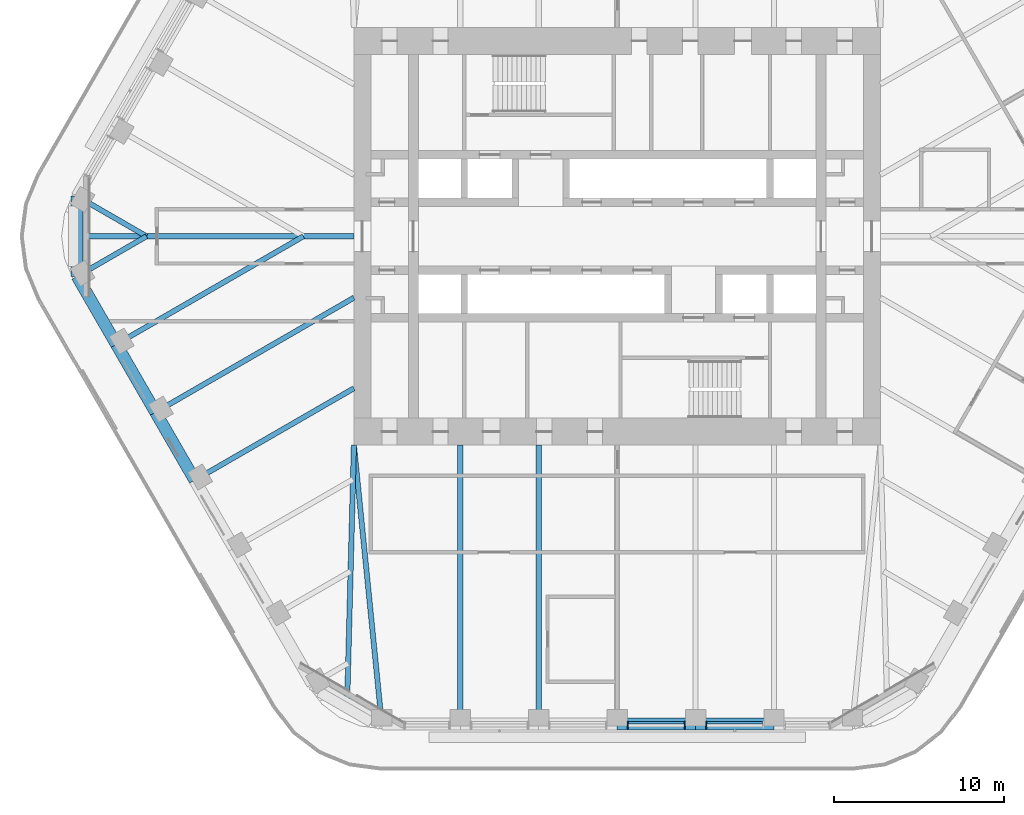
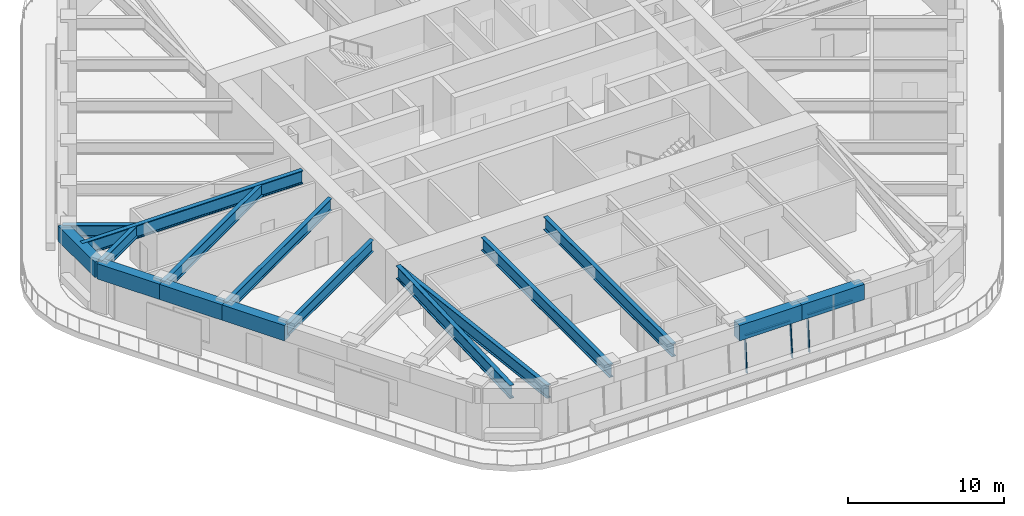
# One storey, part 3 of 20: 16 beams, 5 members, 2 elements without a shape of their own.
"""IFC4 building model written with IfcOpenShell, lengths in metres."""

from ifc_helpers import new_model, si_unit, direction, frame, origin, origin_2d, place, context, subcontext, project, spatial, rectangle, i_section, extrude, material, material_profile, profile_set, type_object, element, aggregate, save


model = new_model("IFC4")

# Units and contexts
model_context = context("Model", 3, precision=1e-05, world=origin(), true_north=direction((0.0, 1.0)))
body_context = subcontext(model_context, "Body", "Model", "MODEL_VIEW")
ifc_project = project(units=[si_unit("LENGTHUNIT", "METRE"), si_unit("AREAUNIT", "SQUARE_METRE"), si_unit("VOLUMEUNIT", "CUBIC_METRE"), si_unit("PLANEANGLEUNIT", "RADIAN"), si_unit("MASSUNIT", "GRAM", prefix="KILO")], contexts=[model_context])

# Site, building, storey
site_placement = place(None, origin())
site = spatial("IfcSite", under=ifc_project, at=site_placement, CompositionType="ELEMENT")
building_placement = place(site_placement, origin())
building = spatial("IfcBuilding", under=site, at=building_placement, Name="Tarfa Lantern Tower", CompositionType="ELEMENT")
storey_placement = place(building_placement, frame((0.0, 0.0, 257.5)))
storey = spatial("IfcBuildingStorey", under=building, at=storey_placement, Name="L58", CompositionType="ELEMENT", Elevation=257.5)

# Curtain wall, members
ifc_material_1 = material(Name="Aluminium framed curtain wall", Category="aluminium")
curtain_wall_type = type_object("IfcCurtainWallType", Name="CW3 CANTED GLAZING HIGH ZONE 2800", PredefinedType="USERDEFINED", material=ifc_material_1)
curtain_wall_1_placement = place(storey_placement, origin())
curtain_wall_1 = element("IfcCurtainWall", 1, at=curtain_wall_1_placement, inside=storey, type_object=curtain_wall_type, Name="CW3 S L58", ObjectType="CURTAIN WALL", PredefinedType="USERDEFINED")
ifc_material_2 = material(Name="Aluminium mullion", Category="aluminium")
ifc_material_profile_1 = material_profile(ifc_material_2, rectangle(XDim=0.06494140625, YDim=0.199951171875, at=origin_2d()), Name="AL MULLION 65x200")
ifc_profile_set_1 = profile_set([ifc_material_profile_1], Name="Aluminium mullion")
member_type_1 = type_object("IfcMemberType", Name="CWM1 MULLION 65x200", PredefinedType="MULLION", material=ifc_profile_set_1)
member_1_placement = place(storey_placement, frame((0.632568359375, -28.89990234375, 0.0), z_axis=(0.0, 0.088930399417, 0.996037842685), x_axis=(-1.0, 0.0, 0.0)))
member_1 = element("IfcMember", 2, at=member_1_placement, type_object=member_type_1, Name="CW3 mullion 1", PredefinedType="MULLION", context=body_context, shape_type="SweptSolid", body=[
    extrude(rectangle(XDim=0.06494140625, YDim=0.199951171875, at=origin_2d()), origin(), (0.0, 0.0, 1.0), 2.811279296875),
])
member_2_placement = place(storey_placement, frame((3.986328125, -28.89990234375, 0.0), z_axis=(0.0, 0.088930399417, 0.996037842685), x_axis=(-1.0, 0.0, 0.0)))
member_2 = element("IfcMember", 3, at=member_2_placement, type_object=member_type_1, Name="CW3 mullion 2", PredefinedType="MULLION", context=body_context, shape_type="SweptSolid", body=[
    extrude(rectangle(XDim=0.06494140625, YDim=0.199951171875, at=origin_2d()), origin(), (0.0, 0.0, 1.0), 2.811279296875),
])

# Curtain wall, member
curtain_wall_2_placement = place(storey_placement, origin())
curtain_wall_2 = element("IfcCurtainWall", 4, at=curtain_wall_2_placement, inside=storey, type_object=curtain_wall_type, Name="CW3 S L58", ObjectType="CURTAIN WALL", PredefinedType="USERDEFINED")
member_3_placement = place(storey_placement, frame((5.251220703125, -28.89990234375, 0.0), z_axis=(0.0, 0.088930399417, 0.996037842685), x_axis=(-1.0, 0.0, 0.0)))
member_3 = element("IfcMember", 5, at=member_3_placement, type_object=member_type_1, Name="CW3 mullion 1", PredefinedType="MULLION", context=body_context, shape_type="SweptSolid", body=[
    extrude(rectangle(XDim=0.06494140625, YDim=0.199951171875, at=origin_2d()), origin(), (0.0, 0.0, 1.0), 2.811279296875),
])

# Member
ifc_material_3 = material(Name="Aluminium transom", Category="aluminium")
ifc_material_profile_2 = material_profile(ifc_material_3, rectangle(XDim=0.14990234375, YDim=0.06494140625, at=origin_2d()), Name="AL TRANSOM 150x65")
ifc_profile_set_2 = profile_set([ifc_material_profile_2], Name="Aluminium transom")
member_type_2 = type_object("IfcMemberType", Name="CWT1 TRANSOM 150x65", PredefinedType="USERDEFINED", material=ifc_profile_set_2)
member_4_placement = place(storey_placement, frame((0.6650390625, -28.65283203125, 2.767578125), z_axis=(1.0, 0.0, 0.0), x_axis=(0.0, 1.0, 0.0)))
member_4 = element("IfcMember", 6, at=member_4_placement, type_object=member_type_2, Name="CW3 transom 1.2", ObjectType="TRANSOM", PredefinedType="USERDEFINED", context=body_context, shape_type="SweptSolid", body=[
    extrude(rectangle(XDim=0.14990234375, YDim=0.06494140625, at=origin_2d()), origin(), (0.0, 0.0, 1.0), 3.288818359375),
])

aggregate(curtain_wall_1, [member_1, member_2, member_4])

member_5_placement = place(storey_placement, frame((5.28369140625, -28.65283203125, 2.767578125), z_axis=(1.0, 0.0, 0.0), x_axis=(0.0, 1.0, 0.0)))
member_5 = element("IfcMember", 7, at=member_5_placement, type_object=member_type_2, Name="CW3 transom 1.2", ObjectType="TRANSOM", PredefinedType="USERDEFINED", context=body_context, shape_type="SweptSolid", body=[
    extrude(rectangle(XDim=0.14990234375, YDim=0.06494140625, at=origin_2d()), origin(), (0.0, 0.0, 1.0), 3.288818359375),
])

aggregate(curtain_wall_2, [member_3, member_5])

# Beams
ifc_material_4 = material(Name="Concrete C80/95", Category="concrete")
ifc_material_profile_3 = material_profile(ifc_material_4, rectangle(XDim=0.699951171875, YDim=1.199951171875, at=origin_2d()), Name="RC 700x1200")
ifc_profile_set_3 = profile_set([ifc_material_profile_3], Name="Concrete C80/95")
beam_type_1 = type_object("IfcBeamType", Name="EB3 RC 700x1200", PredefinedType="SPANDREL", material=ifc_profile_set_3)
beam_1_placement = place(storey_placement, frame((-31.800537109375, 2.360107421875, 3.39990234375), z_axis=(0.0, -1.0, 0.0), x_axis=(1.0, 0.0, 0.0)))
element("IfcBeam", 8, at=beam_1_placement, inside=storey, type_object=beam_type_1, Name="Edge beam NW6", PredefinedType="SPANDREL", context=body_context, shape_type="SweptSolid", body=[
    extrude(rectangle(XDim=0.699951171875, YDim=1.199951171875, at=origin_2d()), origin(), (0.0, 0.0, 1.0), 4.72021484375),
])
beam_2_placement = place(storey_placement, frame((-31.800537109375, -2.360107421875, 3.39990234375), z_axis=(0.500027479704, -0.866009537788, 0.0), x_axis=(0.866009537788, 0.500027479704, 0.0)))
element("IfcBeam", 9, at=beam_2_placement, inside=storey, type_object=beam_type_1, Name="Edge beam SW0", PredefinedType="SPANDREL", context=body_context, shape_type="SweptSolid", body=[
    extrude(rectangle(XDim=0.699951171875, YDim=1.199951171875, at=origin_2d()), origin(), (0.0, 0.0, 1.0), 4.618896484375),
])
for number, where, z_axis, x_axis, name in (
    (10, (-29.490966796875, -6.360107421875, 3.39990234375), (0.499987836815, -0.866032426089, 0.0), (0.866032426089, 0.499987836815, 0.0), "Edge beam SW1"),
    (11, (-27.181640625, -10.360107421875, 3.39990234375), (0.499987836815, -0.866032426089, 0.0), (0.866032426089, 0.499987836815, 0.0), "Edge beam SW2"),
):
    element("IfcBeam", number, at=place(storey_placement, frame(where, z_axis=z_axis, x_axis=x_axis)), inside=storey, type_object=beam_type_1, Name=name, PredefinedType="SPANDREL", context=body_context, shape_type="SweptSolid", body=[
        extrude(rectangle(XDim=0.699951171875, YDim=1.199951171875, at=origin_2d()), origin(), (0.0, 0.0, 1.0), 4.61865234375),
    ])
beam_3_placement = place(storey_placement, frame((0.0, -28.719970703125, 3.39990234375), z_axis=(1.0, 0.0, 0.0), x_axis=(0.0, 1.0, 0.0)))
element("IfcBeam", 12, at=beam_3_placement, inside=storey, type_object=beam_type_1, Name="Edge beam S3", PredefinedType="SPANDREL", context=body_context, shape_type="SweptSolid", body=[
    extrude(rectangle(XDim=0.699951171875, YDim=1.199951171875, at=origin_2d()), origin(), (0.0, 0.0, 1.0), 4.618896484375),
])
beam_4_placement = place(storey_placement, frame((4.618896484375, -28.719970703125, 3.39990234375), z_axis=(1.0, 0.0, 0.0), x_axis=(0.0, 1.0, 0.0)))
element("IfcBeam", 13, at=beam_4_placement, inside=storey, type_object=beam_type_1, Name="Edge beam S4", PredefinedType="SPANDREL", context=body_context, shape_type="SweptSolid", body=[
    extrude(rectangle(XDim=0.699951171875, YDim=1.199951171875, at=origin_2d()), origin(), (0.0, 0.0, 1.0), 4.61865234375),
])
ifc_material_5 = material(Name="Steel S460M", Category="steel")
ifc_material_profile_4 = material_profile(ifc_material_5, i_section(OverallWidth=0.302001953125, OverallDepth=1.008056640625, WebThickness=0.02099609375, FlangeThickness=0.0400390625, FilletRadius=0.030029296875, at=origin_2d()), Name="UB1016x305x349")
ifc_profile_set_4 = profile_set([ifc_material_profile_4], Name="Steel S460M")
beam_type_2 = type_object("IfcBeamType", Name="UB1016x305x349", PredefinedType="BEAM", material=ifc_profile_set_4)
beam_5_placement = place(storey_placement, frame((-13.8564453125, -28.719970703125, 3.495849609375), z_axis=(-0.099597466746, 0.995027810977, 0.0), x_axis=(-0.995027810977, -0.099597466746, 0.0)))
element("IfcBeam", 14, at=beam_5_placement, inside=storey, type_object=beam_type_2, Name="Floor beam S0", PredefinedType="BEAM", context=body_context, shape_type="SweptSolid", body=[
    extrude(i_section(OverallWidth=0.302001953125, OverallDepth=1.008056640625, WebThickness=0.02099609375, FlangeThickness=0.0400390625, FilletRadius=0.030029296875, at=origin_2d()), origin(), (0.0, 0.0, 1.0), 16.501953125),
])
for number, where, z_axis, x_axis, name in (
    (15, (-9.237548828125, -28.719970703125, 3.495849609375), (0.0, 1.0, 0.0), (-1.0, 0.0, 0.0), "Floor beam S1"),
    (16, (-4.618896484375, -28.719970703125, 3.495849609375), (0.0, 1.0, 0.0), (-1.0, 0.0, 0.0), "Floor beam S2"),
):
    element("IfcBeam", number, at=place(storey_placement, frame(where, z_axis=z_axis, x_axis=x_axis)), inside=storey, type_object=beam_type_2, Name=name, PredefinedType="BEAM", context=body_context, shape_type="SweptSolid", body=[
        extrude(i_section(OverallWidth=0.302001953125, OverallDepth=1.008056640625, WebThickness=0.02099609375, FlangeThickness=0.0400390625, FilletRadius=0.030029296875, at=origin_2d()), origin(), (0.0, 0.0, 1.0), 16.419921875),
    ])
ifc_material_profile_5 = material_profile(ifc_material_5, i_section(OverallWidth=0.30859375, OverallDepth=1.036376953125, WebThickness=0.030029296875, FlangeThickness=0.05419921875, FilletRadius=0.030029296875, at=origin_2d()), Name="UB1016x305x487")
ifc_profile_set_5 = profile_set([ifc_material_profile_5], Name="Steel S460M")
beam_type_3 = type_object("IfcBeamType", Name="UB1016x305x487", PredefinedType="BEAM", material=ifc_profile_set_5)
beam_6_placement = place(storey_placement, frame((-15.5, 0.0, 3.48193359375), z_axis=(-1.0, 0.0, 0.0), x_axis=(0.0, -1.0, 0.0)))
element("IfcBeam", 17, at=beam_6_placement, inside=storey, type_object=beam_type_3, Name="Hip girder W", PredefinedType="BEAM", context=body_context, shape_type="SweptSolid", body=[
    extrude(i_section(OverallWidth=0.30859375, OverallDepth=1.036376953125, WebThickness=0.030029296875, FlangeThickness=0.05419921875, FilletRadius=0.030029296875, at=origin_2d()), origin(), (0.0, 0.0, 1.0), 16.300537109375),
])
beam_7_placement = place(storey_placement, frame((-15.5, -12.300048828125, 3.48193359375), z_axis=(-0.026247301989, -0.999655480222, 0.0), x_axis=(0.999655480222, -0.026247301989, 0.0)))
element("IfcBeam", 18, at=beam_7_placement, inside=storey, type_object=beam_type_3, Name="Hip girder SW", PredefinedType="BEAM", context=body_context, shape_type="SweptSolid", body=[
    extrude(i_section(OverallWidth=0.30859375, OverallDepth=1.036376953125, WebThickness=0.030029296875, FlangeThickness=0.05419921875, FilletRadius=0.030029296875, at=origin_2d()), origin(), (0.0, 0.0, 1.0), 15.245361328125),
])
ifc_material_profile_6 = material_profile(ifc_material_5, i_section(OverallWidth=0.305419921875, OverallDepth=0.91845703125, WebThickness=0.017333984375, FlangeThickness=0.02783203125, FilletRadius=0.01904296875, at=origin_2d()), Name="UB914x305x253")
ifc_profile_set_6 = profile_set([ifc_material_profile_6], Name="Steel S460M")
beam_type_4 = type_object("IfcBeamType", Name="UB914x305x253", PredefinedType="BEAM", material=ifc_profile_set_6)
for number, where, z_axis, x_axis, name in (
    (19, (-31.800537109375, 2.360107421875, 3.540771484375), (0.866015897305, -0.500016465344, 0.0), (0.500016465344, 0.866015897305, 0.0), "Floor beam NW6"),
    (20, (-31.800537109375, -2.360107421875, 3.540771484375), (0.866015897305, 0.500016465344, 0.0), (-0.500016465344, 0.866015897305, 0.0), "Floor beam SW0"),
):
    element("IfcBeam", number, at=place(storey_placement, frame(where, z_axis=z_axis, x_axis=x_axis)), inside=storey, type_object=beam_type_4, Name=name, PredefinedType="BEAM", context=body_context, shape_type="SweptSolid", body=[
        extrude(i_section(OverallWidth=0.305419921875, OverallDepth=0.91845703125, WebThickness=0.017333984375, FlangeThickness=0.02783203125, FilletRadius=0.01904296875, at=origin_2d()), origin(), (0.0, 0.0, 1.0), 4.719970703125),
    ])
beam_8_placement = place(storey_placement, frame((-29.490966796875, -6.360107421875, 3.540771484375), z_axis=(0.866022258038, 0.500005448553, 0.0), x_axis=(-0.500005448553, 0.866022258038, 0.0)))
element("IfcBeam", 21, at=beam_8_placement, inside=storey, type_object=beam_type_4, Name="Floor beam SW1", PredefinedType="BEAM", context=body_context, shape_type="SweptSolid", body=[
    extrude(i_section(OverallWidth=0.305419921875, OverallDepth=0.91845703125, WebThickness=0.017333984375, FlangeThickness=0.02783203125, FilletRadius=0.01904296875, at=origin_2d()), origin(), (0.0, 0.0, 1.0), 12.719970703125),
])
beam_9_placement = place(storey_placement, frame((-27.181640625, -10.360107421875, 3.540771484375), z_axis=(0.866018002818, 0.500012818631, 0.0), x_axis=(-0.500012818631, 0.866018002818, 0.0)))
element("IfcBeam", 22, at=beam_9_placement, inside=storey, type_object=beam_type_4, Name="Floor beam SW2", PredefinedType="BEAM", context=body_context, shape_type="SweptSolid", body=[
    extrude(i_section(OverallWidth=0.305419921875, OverallDepth=0.91845703125, WebThickness=0.017333984375, FlangeThickness=0.02783203125, FilletRadius=0.01904296875, at=origin_2d()), origin(), (0.0, 0.0, 1.0), 13.489013671875),
])
beam_10_placement = place(storey_placement, frame((-24.872314453125, -14.360107421875, 3.540771484375), z_axis=(0.8660244219, 0.500001700669, 0.0), x_axis=(-0.500001700669, 0.8660244219, 0.0)))
element("IfcBeam", 23, at=beam_10_placement, inside=storey, type_object=beam_type_4, Name="Floor beam SW3", PredefinedType="BEAM", context=body_context, shape_type="SweptSolid", body=[
    extrude(i_section(OverallWidth=0.305419921875, OverallDepth=0.91845703125, WebThickness=0.017333984375, FlangeThickness=0.02783203125, FilletRadius=0.01904296875, at=origin_2d()), origin(), (0.0, 0.0, 1.0), 10.822265625),
])

save(model, "model.ifc")
